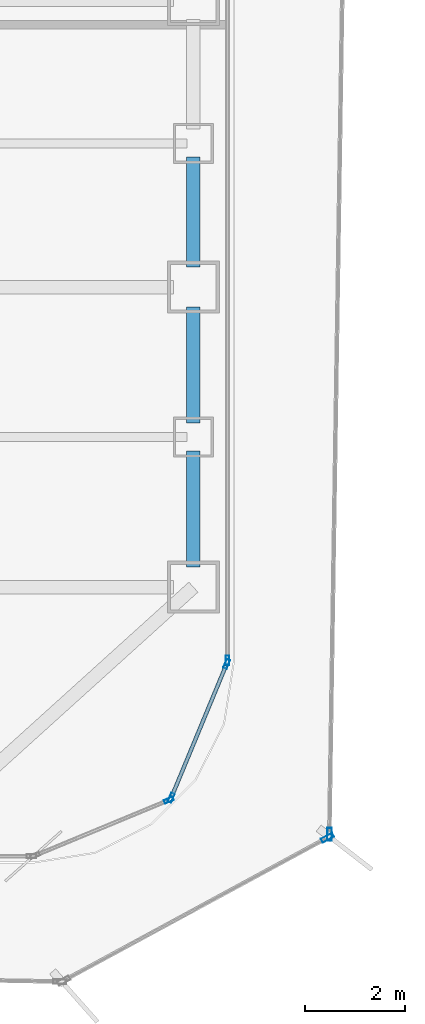
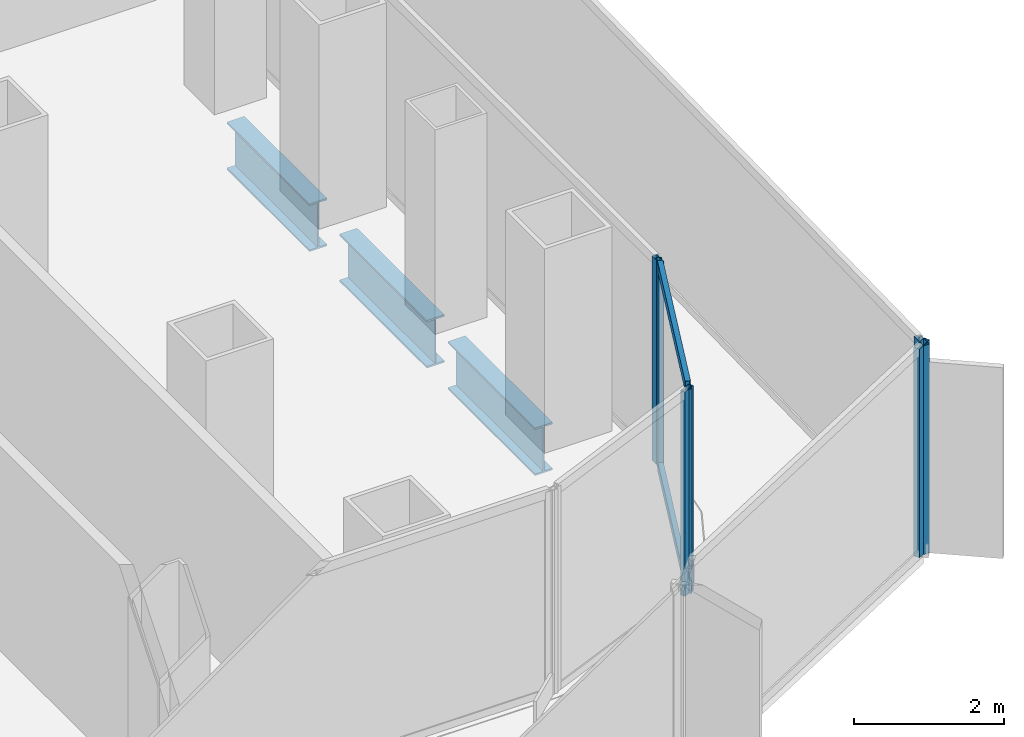
# One storey, part 8 of 21: 8 members, 3 beams, 5 elements without a shape of their own.
"""IFC4 building model written with IfcOpenShell, lengths in metres."""

import ifcopenshell
import ifcopenshell.guid

model = None  # the IFC model being written
_history = None  # IfcOwnerHistory: only IFC2X3 demands one
_inside = {}  # id of a spatial element -> (the spatial element, [elements in it])
_under = {}  # id of a project, library or spatial element -> (it, [spatial elements below it])
_declared = {}  # id of a project -> (the project, [libraries it declares])
_typed = {}  # id of a type object -> (the type object, [elements of that type])
_made_of = {}  # id of a material, layer set ... -> (it, [elements and type objects made of it])


def new_model(schema):
    """Start an empty IFC model of exactly this schema.

    Asked for "IFC4X3", IfcOpenShell would pick the latest addendum, in which some entities
    have other attributes; the version numbers below select the first issue.
    IFC2X3 requires an IfcOwnerHistory on every rooted entity: one is made here for all.
    """
    global model, _history
    if schema == "IFC4X3":
        model = ifcopenshell.file(schema_version=(4, 3, 0, 0))
    else:
        model = ifcopenshell.file(schema=schema)
    _inside.clear()
    _under.clear()
    _declared.clear()
    _typed.clear()
    _made_of.clear()
    _history = None
    if model.schema == "IFC2X3":
        org = make("IfcOrganization", Name="unknown")
        user = make(
            "IfcPersonAndOrganization",
            ThePerson=make("IfcPerson", FamilyName="unknown"),
            TheOrganization=org,
        )
        app = make(
            "IfcApplication",
            ApplicationDeveloper=org,
            Version="unknown",
            ApplicationFullName="unknown",
            ApplicationIdentifier="unknown",
        )
        _history = make(
            "IfcOwnerHistory",
            OwningUser=user,
            OwningApplication=app,
            ChangeAction="ADDED",
            CreationDate=0,
        )
    return model


def make(cls, **values):
    """One entity of the class cls with the attributes given. An attribute that is None is left unset."""
    return model.create_entity(
        cls, **{name: value for name, value in values.items() if value is not None}
    )


def rooted(cls, **values):
    """An entity with a GlobalId (a new one), such as an element, a storey or a relation."""
    return make(cls, GlobalId=ifcopenshell.guid.new(), OwnerHistory=_history, **values)


def si_unit(unit_type, name, prefix=None):
    """IfcSIUnit, for example si_unit("LENGTHUNIT", "METRE", prefix="MILLI")."""
    return make("IfcSIUnit", UnitType=unit_type, Prefix=prefix, Name=name)


def assignment(units):
    """IfcUnitAssignment: the units of a project."""
    return None if units is None else make("IfcUnitAssignment", Units=units)


def point(xyz):
    """IfcCartesianPoint."""
    return None if xyz is None else make("IfcCartesianPoint", Coordinates=xyz)


def direction(xyz):
    """IfcDirection."""
    return None if xyz is None else make("IfcDirection", DirectionRatios=xyz)


def frame(location, z_axis=None, x_axis=None):
    """IfcAxis2Placement3D, a coordinate frame: its origin and axes. An axis left out is left unset."""
    return make(
        "IfcAxis2Placement3D",
        Location=point(location),
        Axis=direction(z_axis),
        RefDirection=direction(x_axis),
    )


def frame_2d(location, x_axis=None):
    """IfcAxis2Placement2D, a coordinate frame in the plane: its origin and x axis."""
    return make(
        "IfcAxis2Placement2D", Location=point(location), RefDirection=direction(x_axis)
    )


def origin():
    """The frame at (0, 0, 0) with its axes left unset."""
    return frame((0.0, 0.0, 0.0))


def origin_2d():
    """The frame at (0, 0) in the plane with its x axis left unset."""
    return frame_2d((0.0, 0.0))


def place(relative_to, where):
    """IfcLocalPlacement: puts the frame where relative to a parent placement (None: the world)."""
    return make(
        "IfcLocalPlacement", PlacementRelTo=relative_to, RelativePlacement=where
    )


def context(
    kind, dimensions, precision=None, world=None, true_north=None, identifier=None
):
    """IfcGeometricRepresentationContext, for example the 3D "Model" context."""
    return make(
        "IfcGeometricRepresentationContext",
        ContextIdentifier=identifier,
        ContextType=kind,
        CoordinateSpaceDimension=dimensions,
        Precision=precision,
        WorldCoordinateSystem=world,
        TrueNorth=true_north,
    )


def subcontext(parent, identifier, kind, view, scale=None):
    """IfcGeometricRepresentationSubContext, for example "Body" below "Model"."""
    return make(
        "IfcGeometricRepresentationSubContext",
        ContextIdentifier=identifier,
        ContextType=kind,
        ParentContext=parent,
        TargetScale=scale,
        TargetView=view,
    )


def project(units=None, contexts=None):
    """IfcProject with its units and contexts."""
    return rooted(
        "IfcProject",
        Name="project",
        RepresentationContexts=contexts,
        UnitsInContext=assignment(units),
    )


def spatial(cls, under=None, at=None, **own):
    """A site, building, storey or space (cls), placed at a placement, below another one or the project."""
    s = rooted(cls, ObjectPlacement=at, **own)
    if under is not None:
        _under.setdefault(under.id(), (under, []))[1].append(s)
    return s


def profile(cls, at=None, kind="AREA", **sizes):
    """A parametric profile (cls). Its sizes go by their IFC names, for example OverallWidth=200.0."""
    return make(cls, ProfileType=kind, Position=at, **sizes)


def hollow_rectangle(**sizes):
    """IfcRectangleHollowProfileDef."""
    return profile("IfcRectangleHollowProfileDef", **sizes)


def i_section(**sizes):
    """IfcIShapeProfileDef."""
    return profile("IfcIShapeProfileDef", **sizes)


def extrude(swept, where, along, depth):
    """IfcExtrudedAreaSolid: the profile swept, set in the frame where, extruded along a direction by depth."""
    return make(
        "IfcExtrudedAreaSolid",
        SweptArea=swept,
        Position=where,
        ExtrudedDirection=direction(along),
        Depth=depth,
    )


def shape(context_of_items, identifier, shape_type, items):
    """IfcShapeRepresentation: the items that make up one representation, for example the "Body"."""
    return make(
        "IfcShapeRepresentation",
        ContextOfItems=context_of_items,
        RepresentationIdentifier=identifier,
        RepresentationType=shape_type,
        Items=items,
    )


def source(mapping_origin, context_of_items, identifier, shape_type, items):
    """IfcRepresentationMap: a shape defined once, which mapped items show again and again."""
    return make(
        "IfcRepresentationMap",
        MappingOrigin=mapping_origin,
        MappedRepresentation=shape(context_of_items, identifier, shape_type, items),
    )


def transform(
    local_origin,
    x_axis=None,
    y_axis=None,
    z_axis=None,
    scale=None,
    scale2=None,
    scale3=None,
    uniform=True,
):
    """IfcCartesianTransformationOperator3D, or its non-uniform kind. x_axis, y_axis, z_axis: its Axis1, 2, 3."""
    if uniform:
        return make(
            "IfcCartesianTransformationOperator3D",
            Axis1=direction(x_axis),
            Axis2=direction(y_axis),
            LocalOrigin=point(local_origin),
            Scale=scale,
            Axis3=direction(z_axis),
        )
    return make(
        "IfcCartesianTransformationOperator3DnonUniform",
        Axis1=direction(x_axis),
        Axis2=direction(y_axis),
        LocalOrigin=point(local_origin),
        Scale=scale,
        Axis3=direction(z_axis),
        Scale2=scale2,
        Scale3=scale3,
    )


def mapped(mapping_source, mapping_target):
    """IfcMappedItem: shows the shape of a source again, moved by a transform."""
    return make(
        "IfcMappedItem", MappingSource=mapping_source, MappingTarget=mapping_target
    )


def material(Name=None, Category=None):
    """IfcMaterial."""
    return make("IfcMaterial", Name=Name, Category=Category)


def layer(
    of_material, thickness, ventilated=None, Name=None, Category=None, Priority=None
):
    """IfcMaterialLayer: one layer of a wall or slab, of a material (None: an air gap)."""
    return make(
        "IfcMaterialLayer",
        Material=of_material,
        LayerThickness=thickness,
        IsVentilated=ventilated,
        Name=Name,
        Category=Category,
        Priority=Priority,
    )


def layer_set(layers, Name=None):
    """IfcMaterialLayerSet."""
    return make("IfcMaterialLayerSet", MaterialLayers=layers, LayerSetName=Name)


def material_profile(
    of_material, cross_section, Name=None, Category=None, Priority=None
):
    """IfcMaterialProfile: a cross section and its material."""
    return make(
        "IfcMaterialProfile",
        Name=Name,
        Material=of_material,
        Profile=cross_section,
        Priority=Priority,
        Category=Category,
    )


def profile_set(profiles, Name=None, composite=None):
    """IfcMaterialProfileSet."""
    return make(
        "IfcMaterialProfileSet",
        Name=Name,
        MaterialProfiles=profiles,
        CompositeProfile=composite,
    )


def made_of(thing, what):
    """Note that an element or type object is made of a material, layer set ...; save() writes the relation."""
    if what is not None:
        _made_of.setdefault(what.id(), (what, []))[1].append(thing)
    return thing


def type_object(cls, material=None, **own):
    """A type object (cls), such as IfcWallType, which elements share."""
    return made_of(rooted(cls, **own), material)


def element(
    cls,
    number,
    at=None,
    inside=None,
    cuts=None,
    type_object=None,
    material=None,
    context=None,
    identifier="Body",
    shape_type=None,
    held_by="IfcProductDefinitionShape",
    body=None,
    shapes=None,
    **own,
):
    """One element of the class cls, such as IfcWall. Its Tag is "e" and its number.

    at: its placement. inside: the storey or other place that contains it. cuts: it is an
    opening in that element (IfcRelVoidsElement). A single representation is given by context,
    identifier, shape_type and body (its items); several are given by shapes. held_by: the class
    of the entity that holds the representations. save() writes the other relations.
    """
    e = rooted(cls, Tag="e%d" % number, ObjectPlacement=at, **own)
    if body is not None:
        shapes = [shape(context, identifier, shape_type, body)]
    if shapes is not None:
        e.Representation = make(held_by, Representations=shapes)
    if inside is not None:
        _inside.setdefault(inside.id(), (inside, []))[1].append(e)
    if cuts is not None:
        rooted(
            "IfcRelVoidsElement", RelatingBuildingElement=cuts, RelatedOpeningElement=e
        )
    if type_object is not None:
        _typed.setdefault(type_object.id(), (type_object, []))[1].append(e)
    return made_of(e, material)


def aggregate(whole, parts):
    """IfcRelAggregates: a whole, such as a stair, and the parts it consists of."""
    return rooted("IfcRelAggregates", RelatingObject=whole, RelatedObjects=parts)


def save(model, path):
    """Write the relations noted so far, then the file.

    IfcRelAggregates (storeys below a building ...), IfcRelContainedInSpatialStructure (elements
    in a storey), IfcRelDefinesByType, IfcRelAssociatesMaterial and IfcRelDeclares: one each for
    every whole, place, type object, material and project.
    """
    for whole, parts in _under.values():
        aggregate(whole, parts)
    for where, things in _inside.values():
        rooted(
            "IfcRelContainedInSpatialStructure",
            RelatedElements=things,
            RelatingStructure=where,
        )
    for kind, things in _typed.values():
        rooted("IfcRelDefinesByType", RelatedObjects=things, RelatingType=kind)
    for what, things in _made_of.values():
        rooted("IfcRelAssociatesMaterial", RelatedObjects=things, RelatingMaterial=what)
    for by, libraries in _declared.values():
        rooted("IfcRelDeclares", RelatingContext=by, RelatedDefinitions=libraries)
    model.write(path)


model = new_model("IFC4")

# Units and contexts
model_context = context("Model", 3, precision=1e-05, world=origin(), true_north=direction((0.0, 1.0)))
body_context = subcontext(model_context, "Body", "Model", "MODEL_VIEW")
ifc_project = project(units=[si_unit("LENGTHUNIT", "METRE"), si_unit("AREAUNIT", "SQUARE_METRE"), si_unit("VOLUMEUNIT", "CUBIC_METRE"), si_unit("PLANEANGLEUNIT", "RADIAN"), si_unit("MASSUNIT", "GRAM", prefix="KILO")], contexts=[model_context])

# Site, building, storey
site_placement = place(None, origin())
site = spatial("IfcSite", under=ifc_project, at=site_placement, CompositionType="ELEMENT")
building_placement = place(site_placement, origin())
building = spatial("IfcBuilding", under=site, at=building_placement, Name="Kolveth Station Tower", CompositionType="ELEMENT")
storey_placement = place(building_placement, frame((0.0, 0.0, 36.89990234375)))
storey = spatial("IfcBuildingStorey", under=building, at=storey_placement, Name="L09", CompositionType="ELEMENT", Elevation=36.89990234375)

# Beams
ifc_material_1 = material(Name="Steel S355", Category="steel")
ifc_material_profile_1 = material_profile(ifc_material_1, i_section(OverallWidth=0.26904296875, OverallDepth=0.77490234375, WebThickness=0.01708984375, FlangeThickness=0.0283203125, at=origin_2d()), Name="W760x220")
ifc_profile_set_1 = profile_set([ifc_material_profile_1], Name="Steel S355")
beam_type = type_object("IfcBeamType", Name="Beam_SP1", PredefinedType="SPANDREL", material=ifc_profile_set_1)
shared_shape_1 = source(origin(), body_context, "Body", "SweptSolid", [
    extrude(i_section(OverallWidth=0.26904296875, OverallDepth=0.77490234375, WebThickness=0.01708984375, FlangeThickness=0.0283203125, at=origin_2d()), origin(), (0.0, 0.0, 1.0), 2.320068359375),
])
for number, where, z_axis, x_axis, name in (
    (1, (46.199951171875, 5.89990234375, -0.66748046875), (0.0, 1.0, 0.0), (-1.0, 0.0, 0.0), "L09 Perimeter Spandrel BM-L09-PE-1"),
    (2, (46.199951171875, 8.780029296875, -0.66748046875), (0.0, 1.0, 0.0), (-1.0, 0.0, 0.0), "L09 Perimeter Spandrel BM-L09-PE-2"),
):
    element("IfcBeam", number, at=place(storey_placement, frame(where, z_axis=z_axis, x_axis=x_axis)), inside=storey, type_object=beam_type, Name=name, PredefinedType="SPANDREL", context=body_context, shape_type="MappedRepresentation", body=[
        mapped(shared_shape_1, transform((0.0, 0.0, 0.0), x_axis=(1.0, 0.0, 0.0), y_axis=(0.0, 1.0, 0.0), z_axis=(0.0, 0.0, 1.0), scale=1.0)),
    ])
shared_shape_2 = source(origin(), body_context, "Body", "SweptSolid", [
    extrude(i_section(OverallWidth=0.26904296875, OverallDepth=0.77490234375, WebThickness=0.01708984375, FlangeThickness=0.0283203125, at=origin_2d()), origin(), (0.0, 0.0, 1.0), 2.2001953125),
])
beam_placement = place(storey_placement, frame((46.199951171875, 11.89990234375, -0.66748046875), z_axis=(0.0, 1.0, 0.0), x_axis=(-1.0, 0.0, 0.0)))
element("IfcBeam", 3, at=beam_placement, inside=storey, type_object=beam_type, Name="L09 Perimeter Spandrel BM-L09-PE-3", PredefinedType="SPANDREL", context=body_context, shape_type="MappedRepresentation", body=[
    mapped(shared_shape_2, transform((0.0, 0.0, 0.0), x_axis=(1.0, 0.0, 0.0), y_axis=(0.0, 1.0, 0.0), z_axis=(0.0, 0.0, 1.0), scale=1.0)),
])

# Curtain wall, member
ifc_material_2 = material(Name="Aluminium 6063-T6 and low-E dark glass", Category="aluminium")
ifc_layer_1 = layer(ifc_material_2, 0.179931640625)
ifc_layer_set_1 = layer_set([ifc_layer_1], Name="Aluminium 6063-T6 and low-E dark glass")
curtain_wall_type_1 = type_object("IfcCurtainWallType", Name="CurtainWall_CW-Z1", PredefinedType="NOTDEFINED", material=ifc_layer_set_1)
curtain_wall_1_placement = place(storey_placement, origin())
curtain_wall_1 = element("IfcCurtainWall", 4, at=curtain_wall_1_placement, inside=storey, type_object=curtain_wall_type_1, Name="L09 Inner Thermal Curtain Wall 1", PredefinedType="NOTDEFINED")
ifc_material_3 = material(Name="Black anodized aluminium 6063-T6", Category="aluminium")
ifc_material_profile_2 = material_profile(ifc_material_3, hollow_rectangle(XDim=0.074951171875, YDim=0.18994140625, WallThickness=0.0048828125, at=origin_2d()), Name="ALU-75x190x5")
ifc_profile_set_2 = profile_set([ifc_material_profile_2], Name="Black anodized aluminium 6063-T6")
member_type_1 = type_object("IfcMemberType", Name="Mullion_ML1", PredefinedType="MULLION", material=ifc_profile_set_2)
shared_shape_3 = source(origin(), body_context, "Body", "SweptSolid", [
    extrude(hollow_rectangle(XDim=0.074951171875, YDim=0.18994140625, WallThickness=0.0048828125, at=origin_2d()), origin(), (0.0, 0.0, 1.0), 3.320068359375),
])
member_1_placement = place(storey_placement, frame((45.708984375, 1.241943359375, 0.0), z_axis=(0.0, 0.0, 1.0), x_axis=(-0.382672990201, 0.923883857728, 0.0)))
member_1 = element("IfcMember", 5, at=member_1_placement, type_object=member_type_1, Name="CW-Z1 mullion 2", PredefinedType="MULLION", context=body_context, shape_type="MappedRepresentation", body=[
    mapped(shared_shape_3, transform((0.0, 0.0, 0.0), x_axis=(1.0, 0.0, 0.0), y_axis=(0.0, 1.0, 0.0), z_axis=(0.0, 0.0, 1.0), scale=1.0)),
])
aggregate(curtain_wall_1, [member_1])

# Curtain wall, members
curtain_wall_2_placement = place(storey_placement, origin())
curtain_wall_2 = element("IfcCurtainWall", 6, at=curtain_wall_2_placement, inside=storey, type_object=curtain_wall_type_1, Name="L09 Inner Thermal Curtain Wall 2", PredefinedType="NOTDEFINED")
member_2_placement = place(storey_placement, frame((45.758056640625, 1.291015625, 0.0), z_axis=(0.0, 0.0, 1.0), x_axis=(-0.923883857728, 0.382672990201, 0.0)))
member_2 = element("IfcMember", 7, at=member_2_placement, type_object=member_type_1, Name="CW-Z1 mullion 1", PredefinedType="MULLION", context=body_context, shape_type="MappedRepresentation", body=[
    mapped(shared_shape_3, transform((0.0, 0.0, 0.0), x_axis=(1.0, 0.0, 0.0), y_axis=(0.0, 1.0, 0.0), z_axis=(0.0, 0.0, 1.0), scale=1.0)),
])
member_3_placement = place(storey_placement, frame((46.86572265625, 3.96533203125, 0.0), z_axis=(0.0, 0.0, 1.0), x_axis=(-0.923883857728, 0.382672990201, 0.0)))
member_3 = element("IfcMember", 8, at=member_3_placement, type_object=member_type_1, Name="CW-Z1 mullion 2", PredefinedType="MULLION", context=body_context, shape_type="MappedRepresentation", body=[
    mapped(shared_shape_3, transform((0.0, 0.0, 0.0), x_axis=(1.0, 0.0, 0.0), y_axis=(0.0, 1.0, 0.0), z_axis=(0.0, 0.0, 1.0), scale=1.0)),
])

# Curtain wall, member
curtain_wall_3_placement = place(storey_placement, origin())
curtain_wall_3 = element("IfcCurtainWall", 9, at=curtain_wall_3_placement, inside=storey, type_object=curtain_wall_type_1, Name="L09 Inner Thermal Curtain Wall 3", PredefinedType="NOTDEFINED")
member_4_placement = place(storey_placement, frame((46.8798828125, 4.03759765625, 0.0), z_axis=(0.0, 0.0, 1.0), x_axis=(-1.0, 0.0, 0.0)))
member_4 = element("IfcMember", 10, at=member_4_placement, type_object=member_type_1, Name="CW-Z1 mullion 1", PredefinedType="MULLION", context=body_context, shape_type="MappedRepresentation", body=[
    mapped(shared_shape_3, transform((0.0, 0.0, 0.0), x_axis=(1.0, 0.0, 0.0), y_axis=(0.0, 1.0, 0.0), z_axis=(0.0, 0.0, 1.0), scale=1.0)),
])
aggregate(curtain_wall_3, [member_4])

# Member
ifc_material_profile_3 = material_profile(ifc_material_3, hollow_rectangle(XDim=0.074951171875, YDim=0.159912109375, WallThickness=0.0048828125, at=origin_2d()), Name="ALU-75x160x5")
ifc_profile_set_3 = profile_set([ifc_material_profile_3], Name="Black anodized aluminium 6063-T6")
member_type_2 = type_object("IfcMemberType", Name="Transom_TR1", PredefinedType="USERDEFINED", material=ifc_profile_set_3)
shared_shape_4 = source(origin(), body_context, "Body", "SweptSolid", [
    extrude(hollow_rectangle(XDim=0.074951171875, YDim=0.159912109375, WallThickness=0.0048828125, at=origin_2d()), origin(), (0.0, 0.0, 1.0), 2.819580078125),
])
member_5_placement = place(storey_placement, frame((45.772216796875, 1.32568359375, 0.03759765625), z_axis=(0.382708655389, 0.923869084389, 0.0), x_axis=(-0.923869084389, 0.382708655389, 0.0)))
member_5 = element("IfcMember", 11, at=member_5_placement, type_object=member_type_2, Name="CW-Z1 transom 1.1", ObjectType="TRANSOM", PredefinedType="USERDEFINED", context=body_context, shape_type="MappedRepresentation", body=[
    mapped(shared_shape_4, transform((0.0, 0.0, 0.0), x_axis=(1.0, 0.0, 0.0), y_axis=(0.0, 1.0, 0.0), z_axis=(0.0, 0.0, 1.0), scale=1.0)),
])

member_6_placement = place(storey_placement, frame((45.772216796875, 1.32568359375, 3.28271484375), z_axis=(0.382708655389, 0.923869084389, 0.0), x_axis=(-0.923869084389, 0.382708655389, 0.0)))
member_6 = element("IfcMember", 12, at=member_6_placement, type_object=member_type_2, Name="CW-Z1 transom 1.2", ObjectType="TRANSOM", PredefinedType="USERDEFINED", context=body_context, shape_type="MappedRepresentation", body=[
    mapped(shared_shape_4, transform((0.0, 0.0, 0.0), x_axis=(1.0, 0.0, 0.0), y_axis=(0.0, 1.0, 0.0), z_axis=(0.0, 0.0, 1.0), scale=1.0)),
])

aggregate(curtain_wall_2, [member_2, member_3, member_5, member_6])

# Curtain wall, member
ifc_material_4 = material(Name="Black anodized aluminium 6063-T6 and dark solar glass", Category="aluminium")
ifc_layer_2 = layer(ifc_material_4, 0.159912109375)
ifc_layer_set_2 = layer_set([ifc_layer_2], Name="Black anodized aluminium 6063-T6 and dark solar glass")
curtain_wall_type_2 = type_object("IfcCurtainWallType", Name="OUTER SKIN CW-OS", PredefinedType="NOTDEFINED", material=ifc_layer_set_2)
curtain_wall_4_placement = place(storey_placement, origin())
curtain_wall_4 = element("IfcCurtainWall", 13, at=curtain_wall_4_placement, inside=storey, type_object=curtain_wall_type_2, Name="L09 Outer Ventilated Skin Curtain Wall 1", PredefinedType="NOTDEFINED")
ifc_material_profile_4 = material_profile(ifc_material_3, hollow_rectangle(XDim=0.090087890625, YDim=0.260009765625, WallThickness=0.0048828125, at=origin_2d()), Name="ALU-90x260x5")
ifc_profile_set_4 = profile_set([ifc_material_profile_4], Name="Black anodized aluminium 6063-T6")
member_type_3 = type_object("IfcMemberType", Name="FIN MULLION ML-OS", PredefinedType="MULLION", material=ifc_profile_set_4)
shared_shape_5 = source(origin(), body_context, "Body", "SweptSolid", [
    extrude(hollow_rectangle(XDim=0.090087890625, YDim=0.260009765625, WallThickness=0.0048828125, at=origin_2d()), origin(), (0.0, 0.0, 1.0), 3.39013671875),
])
member_7_placement = place(storey_placement, frame((48.882080078125, 0.48876953125, 0.0), z_axis=(0.0, 0.0, 1.0), x_axis=(-0.476411722678, 0.879222310053, 0.0)))
member_7 = element("IfcMember", 14, at=member_7_placement, type_object=member_type_3, Name="CW-OS mullion 2", PredefinedType="MULLION", context=body_context, shape_type="MappedRepresentation", body=[
    mapped(shared_shape_5, transform((0.0, 0.0, 0.0), x_axis=(1.0, 0.0, 0.0), y_axis=(0.0, 1.0, 0.0), z_axis=(0.0, 0.0, 1.0), scale=1.0)),
])
aggregate(curtain_wall_4, [member_7])

curtain_wall_5_placement = place(storey_placement, origin())
curtain_wall_5 = element("IfcCurtainWall", 15, at=curtain_wall_5_placement, inside=storey, type_object=curtain_wall_type_2, Name="L09 Outer Ventilated Skin Curtain Wall 2", PredefinedType="NOTDEFINED")
member_8_placement = place(storey_placement, frame((48.92236328125, 0.55517578125, 0.0), z_axis=(0.0, 0.0, 1.0), x_axis=(-0.999881554002, 0.015390840363, 0.0)))
member_8 = element("IfcMember", 16, at=member_8_placement, type_object=member_type_3, Name="CW-OS mullion 1", PredefinedType="MULLION", context=body_context, shape_type="MappedRepresentation", body=[
    mapped(shared_shape_5, transform((0.0, 0.0, 0.0), x_axis=(1.0, 0.0, 0.0), y_axis=(0.0, 1.0, 0.0), z_axis=(0.0, 0.0, 1.0), scale=1.0)),
])
aggregate(curtain_wall_5, [member_8])

save(model, "model.ifc")
